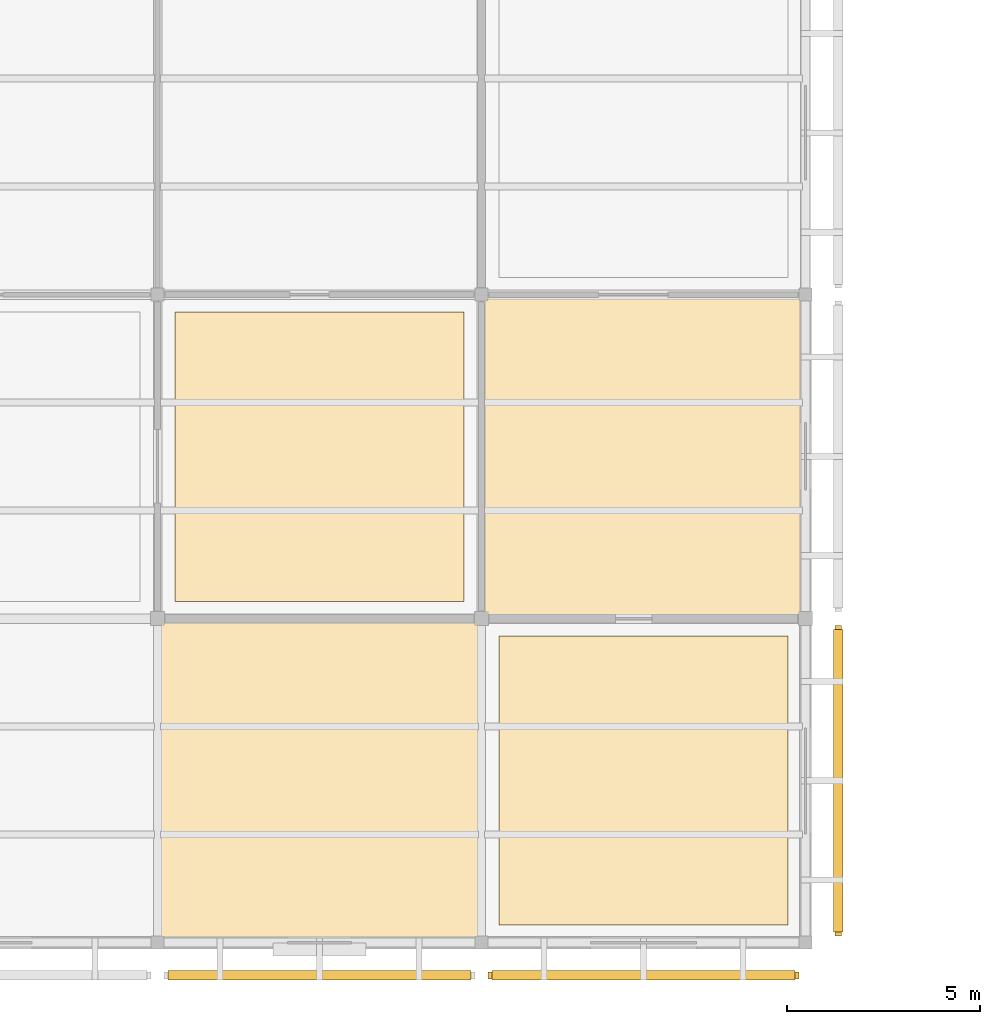
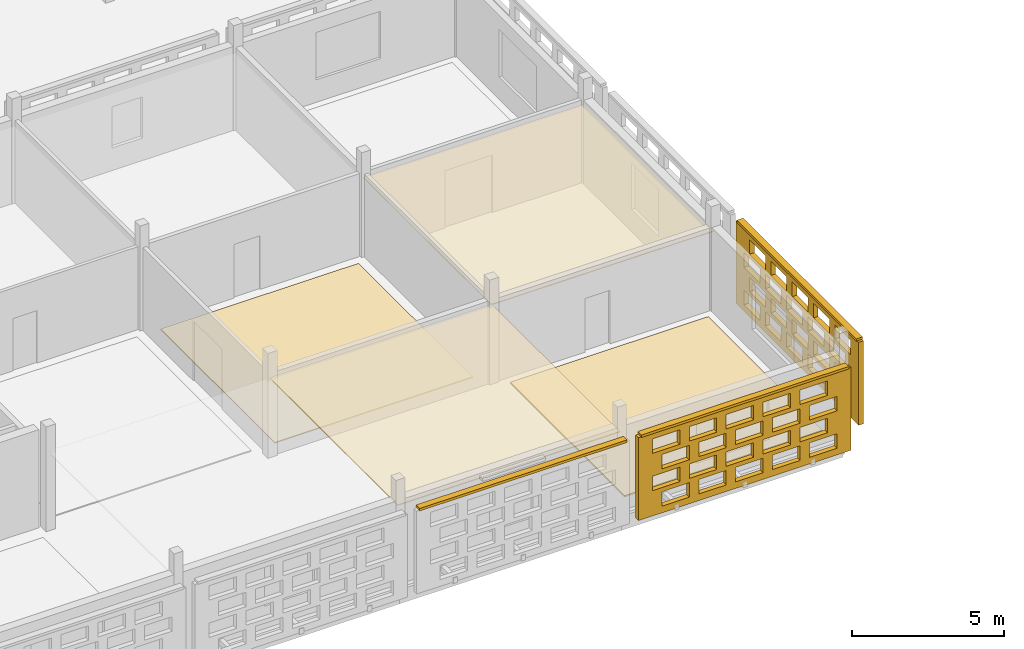
# One storey, part 82 of 103: 6 coverings, 3 shading devices, 40 openings.
"""IFC4 building model written with IfcOpenShell, lengths in metres."""

from ifc_helpers import new_model, si_unit, direction, frame, frame_2d, origin, origin_2d, place, context, subcontext, project, spatial, rectangle, extrude, material, layer, layer_set, type_object, element, save


model = new_model("IFC4")

# Units and contexts
model_context = context("Model", 3, precision=1e-05, world=origin(), true_north=direction((0.0, 1.0)))
body_context = subcontext(model_context, "Body", "Model", "MODEL_VIEW")
ifc_project = project(units=[si_unit("LENGTHUNIT", "METRE"), si_unit("AREAUNIT", "SQUARE_METRE"), si_unit("VOLUMEUNIT", "CUBIC_METRE"), si_unit("PLANEANGLEUNIT", "RADIAN"), si_unit("MASSUNIT", "GRAM", prefix="KILO")], contexts=[model_context])

# Site, building, storey
site_placement = place(None, origin())
site = spatial("IfcSite", under=ifc_project, at=site_placement, CompositionType="ELEMENT")
building_placement = place(site_placement, origin())
building = spatial("IfcBuilding", under=site, at=building_placement, Name="Varnapada Polytechnic", CompositionType="ELEMENT")
storey_placement = place(building_placement, frame((0.0, 0.0, 18.0)))
storey = spatial("IfcBuildingStorey", under=building, at=storey_placement, Name="L04", CompositionType="ELEMENT", Elevation=18.0)

# Coverings
ifc_material_1 = material(Name="Anti-Static Raised Laboratory Flooring")
ifc_layer_1 = layer(ifc_material_1, 0.06005859375)
ifc_layer_set_1 = layer_set([ifc_layer_1], Name="Anti-Static Raised Laboratory Flooring")
covering_type_1 = type_object("IfcCoveringType", Name="Floor Finish FLR-02", PredefinedType="FLOORING", material=ifc_layer_set_1)
covering_1_placement = place(storey_placement, frame((46.199951171875, 12.60009765625, 0.0), z_axis=(0.0, 0.0, 1.0), x_axis=(1.0, 0.0, 0.0)))
element("IfcCovering", 1, at=covering_1_placement, inside=storey, type_object=covering_type_1, Name="L04 floor finish panel (6,2)", PredefinedType="FLOORING", context=body_context, shape_type="SweptSolid", body=[
    extrude(rectangle(XDim=7.5, YDim=7.5, at=origin_2d()), origin(), (0.0, 0.0, 1.0), 0.06005859375),
])
ifc_material_2 = material(Name="Acoustic Rubber Seminar Flooring")
ifc_layer_2 = layer(ifc_material_2, 0.0400390625)
ifc_layer_set_2 = layer_set([ifc_layer_2], Name="Acoustic Rubber Seminar Flooring")
covering_type_2 = type_object("IfcCoveringType", Name="Floor Finish FLR-06", PredefinedType="FLOORING", material=ifc_layer_set_2)
covering_2_placement = place(storey_placement, frame((37.800048828125, 21.0, 0.0), z_axis=(0.0, 0.0, 1.0), x_axis=(1.0, 0.0, 0.0)))
element("IfcCovering", 2, at=covering_2_placement, inside=storey, type_object=covering_type_2, Name="L04 floor finish panel (5,3)", PredefinedType="FLOORING", context=body_context, shape_type="SweptSolid", body=[
    extrude(rectangle(XDim=7.5, YDim=7.5, at=origin_2d()), origin(), (0.0, 0.0, 1.0), 0.0400390625),
])
ifc_material_3 = material(Name="Moisture-Resistant Aluminum Baffle Ceiling", Category="aluminium")
ifc_layer_3 = layer(ifc_material_3, 0.030029296875)
ifc_layer_set_3 = layer_set([ifc_layer_3], Name="Moisture-Resistant Aluminum Baffle Ceiling")
covering_type_3 = type_object("IfcCoveringType", Name="Suspended Ceiling CLG-03", PredefinedType="CEILING", material=ifc_layer_set_3)
covering_3_placement = place(storey_placement, frame((46.199951171875, 21.0, 3.03515625), z_axis=(0.0, 0.0, 1.0), x_axis=(1.0, 0.0, 0.0)))
element("IfcCovering", 3, at=covering_3_placement, inside=storey, type_object=covering_type_3, Name="L04 suspended acoustic ceiling (6,3)", PredefinedType="CEILING", context=body_context, shape_type="SweptSolid", body=[
    extrude(rectangle(XDim=8.419921875, YDim=8.419921875, at=origin_2d()), origin(), (0.0, 0.0, 1.0), 0.030029296875),
])
ifc_material_4 = material(Name="Cleanroom Laboratory Metal Pan Ceiling")
ifc_layer_4 = layer(ifc_material_4, 0.034912109375)
ifc_layer_set_4 = layer_set([ifc_layer_4], Name="Cleanroom Laboratory Metal Pan Ceiling")
covering_type_4 = type_object("IfcCoveringType", Name="Suspended Ceiling CLG-06", PredefinedType="CEILING", material=ifc_layer_set_4)
covering_4_placement = place(storey_placement, frame((37.800048828125, 12.60009765625, 3.03271484375), z_axis=(0.0, 0.0, 1.0), x_axis=(1.0, 0.0, 0.0)))
element("IfcCovering", 4, at=covering_4_placement, inside=storey, type_object=covering_type_4, Name="L04 suspended acoustic ceiling (5,2)", PredefinedType="CEILING", context=body_context, shape_type="SweptSolid", body=[
    extrude(rectangle(XDim=8.419921875, YDim=8.419921875, at=origin_2d()), origin(), (0.0, 0.0, 1.0), 0.034912109375),
])

# Covering, openings
ifc_material_5 = material(Name="Earth-toned architectural terracotta screen block", Category="masonry")
ifc_layer_5 = layer(ifc_material_5, 0.1201171875)
ifc_layer_set_5 = layer_set([ifc_layer_5], Name="Earth-toned architectural terracotta screen block")
covering_type_5 = type_object("IfcCoveringType", Name="Terracotta Screen Cladding CLD-01", PredefinedType="CLADDING", material=ifc_layer_set_5)
covering_5_placement = place(storey_placement, frame((50.22998046875, 7.550048828125, 0.0), z_axis=(0.0, 0.0, 1.0), x_axis=(-1.0, 0.0, 0.0)))
covering_5 = element("IfcCovering", 5, at=covering_5_placement, inside=storey, type_object=covering_type_5, Name="L04 perforated terracotta block screen (36)", PredefinedType="CLADDING", context=body_context, shape_type="SweptSolid", body=[
    extrude(rectangle(XDim=8.06005859375, YDim=0.179931640625, at=frame_2d((4.030029296875, 0.0))), origin(), (0.0, 0.0, 1.0), 3.320068359375),
])
opening_1_placement = place(covering_5_placement, frame((0.530029296875, 0.0, 0.265625)))
element("IfcOpeningElement", 6, at=opening_1_placement, cuts=covering_5, Name="Screen perforation TBS-L04-035.1", PredefinedType="OPENING", context=body_context, shape_type="SweptSolid", body=[
    extrude(rectangle(XDim=1.0400390625, YDim=0.5810546875, at=frame_2d((0.52001953125, 0.29052734375))), frame((0.0, 0.099853515625, 0.0), z_axis=(0.0, -1.0, 0.0), x_axis=(1.0, 0.0, 0.0)), (0.0, 0.0, 1.0), 0.199951171875),
])
opening_2_placement = place(covering_5_placement, frame((1.929931640625, 0.0, 0.265625)))
element("IfcOpeningElement", 7, at=opening_2_placement, cuts=covering_5, Name="Screen perforation TBS-L04-035.2", PredefinedType="OPENING", context=body_context, shape_type="SweptSolid", body=[
    extrude(rectangle(XDim=1.0400390625, YDim=0.5810546875, at=frame_2d((0.52001953125, 0.29052734375))), frame((0.0, 0.099853515625, 0.0), z_axis=(0.0, -1.0, 0.0), x_axis=(1.0, 0.0, 0.0)), (0.0, 0.0, 1.0), 0.199951171875),
])
opening_3_placement = place(covering_5_placement, frame((3.330078125, 0.0, 0.265625)))
element("IfcOpeningElement", 8, at=opening_3_placement, cuts=covering_5, Name="Screen perforation TBS-L04-035.3", PredefinedType="OPENING", context=body_context, shape_type="SweptSolid", body=[
    extrude(rectangle(XDim=1.0400390625, YDim=0.5810546875, at=frame_2d((0.52001953125, 0.29052734375))), frame((0.0, 0.099853515625, 0.0), z_axis=(0.0, -1.0, 0.0), x_axis=(1.0, 0.0, 0.0)), (0.0, 0.0, 1.0), 0.199951171875),
])
opening_4_placement = place(covering_5_placement, frame((4.72998046875, 0.0, 0.265625)))
element("IfcOpeningElement", 9, at=opening_4_placement, cuts=covering_5, Name="Screen perforation TBS-L04-035.4", PredefinedType="OPENING", context=body_context, shape_type="SweptSolid", body=[
    extrude(rectangle(XDim=1.0400390625, YDim=0.5810546875, at=frame_2d((0.52001953125, 0.29052734375))), frame((0.0, 0.099853515625, 0.0), z_axis=(0.0, -1.0, 0.0), x_axis=(1.0, 0.0, 0.0)), (0.0, 0.0, 1.0), 0.199951171875),
])
opening_5_placement = place(covering_5_placement, frame((6.1298828125, 0.0, 0.265625)))
element("IfcOpeningElement", 10, at=opening_5_placement, cuts=covering_5, Name="Screen perforation TBS-L04-035.5", PredefinedType="OPENING", context=body_context, shape_type="SweptSolid", body=[
    extrude(rectangle(XDim=1.0400390625, YDim=0.5810546875, at=frame_2d((0.52001953125, 0.29052734375))), frame((0.0, 0.099853515625, 0.0), z_axis=(0.0, -1.0, 0.0), x_axis=(1.0, 0.0, 0.0)), (0.0, 0.0, 1.0), 0.199951171875),
])
opening_6_placement = place(covering_5_placement, frame((0.889892578125, 0.0, 1.0126953125)))
element("IfcOpeningElement", 11, at=opening_6_placement, cuts=covering_5, Name="Screen perforation TBS-L04-035.6", PredefinedType="OPENING", context=body_context, shape_type="SweptSolid", body=[
    extrude(rectangle(XDim=1.0400390625, YDim=0.5810546875, at=frame_2d((0.52001953125, 0.29052734375))), frame((0.0, 0.099853515625, 0.0), z_axis=(0.0, -1.0, 0.0), x_axis=(1.0, 0.0, 0.0)), (0.0, 0.0, 1.0), 0.199951171875),
])
opening_7_placement = place(covering_5_placement, frame((2.2900390625, 0.0, 1.0126953125)))
element("IfcOpeningElement", 12, at=opening_7_placement, cuts=covering_5, Name="Screen perforation TBS-L04-035.7", PredefinedType="OPENING", context=body_context, shape_type="SweptSolid", body=[
    extrude(rectangle(XDim=1.0400390625, YDim=0.5810546875, at=frame_2d((0.52001953125, 0.29052734375))), frame((0.0, 0.099853515625, 0.0), z_axis=(0.0, -1.0, 0.0), x_axis=(1.0, 0.0, 0.0)), (0.0, 0.0, 1.0), 0.199951171875),
])
opening_8_placement = place(covering_5_placement, frame((3.68994140625, 0.0, 1.0126953125)))
element("IfcOpeningElement", 13, at=opening_8_placement, cuts=covering_5, Name="Screen perforation TBS-L04-035.8", PredefinedType="OPENING", context=body_context, shape_type="SweptSolid", body=[
    extrude(rectangle(XDim=1.0400390625, YDim=0.5810546875, at=frame_2d((0.52001953125, 0.29052734375))), frame((0.0, 0.099853515625, 0.0), z_axis=(0.0, -1.0, 0.0), x_axis=(1.0, 0.0, 0.0)), (0.0, 0.0, 1.0), 0.199951171875),
])
opening_9_placement = place(covering_5_placement, frame((5.090087890625, 0.0, 1.0126953125)))
element("IfcOpeningElement", 14, at=opening_9_placement, cuts=covering_5, Name="Screen perforation TBS-L04-035.9", PredefinedType="OPENING", context=body_context, shape_type="SweptSolid", body=[
    extrude(rectangle(XDim=1.0400390625, YDim=0.5810546875, at=frame_2d((0.52001953125, 0.29052734375))), frame((0.0, 0.099853515625, 0.0), z_axis=(0.0, -1.0, 0.0), x_axis=(1.0, 0.0, 0.0)), (0.0, 0.0, 1.0), 0.199951171875),
])
opening_10_placement = place(covering_5_placement, frame((6.489990234375, 0.0, 1.0126953125)))
element("IfcOpeningElement", 15, at=opening_10_placement, cuts=covering_5, Name="Screen perforation TBS-L04-035.10", PredefinedType="OPENING", context=body_context, shape_type="SweptSolid", body=[
    extrude(rectangle(XDim=1.0400390625, YDim=0.5810546875, at=frame_2d((0.52001953125, 0.29052734375))), frame((0.0, 0.099853515625, 0.0), z_axis=(0.0, -1.0, 0.0), x_axis=(1.0, 0.0, 0.0)), (0.0, 0.0, 1.0), 0.199951171875),
])
opening_11_placement = place(covering_5_placement, frame((0.530029296875, 0.0, 1.759521484375)))
element("IfcOpeningElement", 16, at=opening_11_placement, cuts=covering_5, Name="Screen perforation TBS-L04-035.11", PredefinedType="OPENING", context=body_context, shape_type="SweptSolid", body=[
    extrude(rectangle(XDim=1.0400390625, YDim=0.5810546875, at=frame_2d((0.52001953125, 0.29052734375))), frame((0.0, 0.099853515625, 0.0), z_axis=(0.0, -1.0, 0.0), x_axis=(1.0, 0.0, 0.0)), (0.0, 0.0, 1.0), 0.199951171875),
])
opening_12_placement = place(covering_5_placement, frame((1.929931640625, 0.0, 1.759521484375)))
element("IfcOpeningElement", 17, at=opening_12_placement, cuts=covering_5, Name="Screen perforation TBS-L04-035.12", PredefinedType="OPENING", context=body_context, shape_type="SweptSolid", body=[
    extrude(rectangle(XDim=1.0400390625, YDim=0.5810546875, at=frame_2d((0.52001953125, 0.29052734375))), frame((0.0, 0.099853515625, 0.0), z_axis=(0.0, -1.0, 0.0), x_axis=(1.0, 0.0, 0.0)), (0.0, 0.0, 1.0), 0.199951171875),
])
opening_13_placement = place(covering_5_placement, frame((3.330078125, 0.0, 1.759521484375)))
element("IfcOpeningElement", 18, at=opening_13_placement, cuts=covering_5, Name="Screen perforation TBS-L04-035.13", PredefinedType="OPENING", context=body_context, shape_type="SweptSolid", body=[
    extrude(rectangle(XDim=1.0400390625, YDim=0.5810546875, at=frame_2d((0.52001953125, 0.29052734375))), frame((0.0, 0.099853515625, 0.0), z_axis=(0.0, -1.0, 0.0), x_axis=(1.0, 0.0, 0.0)), (0.0, 0.0, 1.0), 0.199951171875),
])
opening_14_placement = place(covering_5_placement, frame((4.72998046875, 0.0, 1.759521484375)))
element("IfcOpeningElement", 19, at=opening_14_placement, cuts=covering_5, Name="Screen perforation TBS-L04-035.14", PredefinedType="OPENING", context=body_context, shape_type="SweptSolid", body=[
    extrude(rectangle(XDim=1.0400390625, YDim=0.5810546875, at=frame_2d((0.52001953125, 0.29052734375))), frame((0.0, 0.099853515625, 0.0), z_axis=(0.0, -1.0, 0.0), x_axis=(1.0, 0.0, 0.0)), (0.0, 0.0, 1.0), 0.199951171875),
])
opening_15_placement = place(covering_5_placement, frame((6.1298828125, 0.0, 1.759521484375)))
element("IfcOpeningElement", 20, at=opening_15_placement, cuts=covering_5, Name="Screen perforation TBS-L04-035.15", PredefinedType="OPENING", context=body_context, shape_type="SweptSolid", body=[
    extrude(rectangle(XDim=1.0400390625, YDim=0.5810546875, at=frame_2d((0.52001953125, 0.29052734375))), frame((0.0, 0.099853515625, 0.0), z_axis=(0.0, -1.0, 0.0), x_axis=(1.0, 0.0, 0.0)), (0.0, 0.0, 1.0), 0.199951171875),
])
opening_16_placement = place(covering_5_placement, frame((0.889892578125, 0.0, 2.506591796875)))
element("IfcOpeningElement", 21, at=opening_16_placement, cuts=covering_5, Name="Screen perforation TBS-L04-035.16", PredefinedType="OPENING", context=body_context, shape_type="SweptSolid", body=[
    extrude(rectangle(XDim=1.0400390625, YDim=0.5810546875, at=frame_2d((0.52001953125, 0.29052734375))), frame((0.0, 0.099853515625, 0.0), z_axis=(0.0, -1.0, 0.0), x_axis=(1.0, 0.0, 0.0)), (0.0, 0.0, 1.0), 0.199951171875),
])
opening_17_placement = place(covering_5_placement, frame((2.2900390625, 0.0, 2.506591796875)))
element("IfcOpeningElement", 22, at=opening_17_placement, cuts=covering_5, Name="Screen perforation TBS-L04-035.17", PredefinedType="OPENING", context=body_context, shape_type="SweptSolid", body=[
    extrude(rectangle(XDim=1.0400390625, YDim=0.5810546875, at=frame_2d((0.52001953125, 0.29052734375))), frame((0.0, 0.099853515625, 0.0), z_axis=(0.0, -1.0, 0.0), x_axis=(1.0, 0.0, 0.0)), (0.0, 0.0, 1.0), 0.199951171875),
])
opening_18_placement = place(covering_5_placement, frame((3.68994140625, 0.0, 2.506591796875)))
element("IfcOpeningElement", 23, at=opening_18_placement, cuts=covering_5, Name="Screen perforation TBS-L04-035.18", PredefinedType="OPENING", context=body_context, shape_type="SweptSolid", body=[
    extrude(rectangle(XDim=1.0400390625, YDim=0.5810546875, at=frame_2d((0.52001953125, 0.29052734375))), frame((0.0, 0.099853515625, 0.0), z_axis=(0.0, -1.0, 0.0), x_axis=(1.0, 0.0, 0.0)), (0.0, 0.0, 1.0), 0.199951171875),
])
opening_19_placement = place(covering_5_placement, frame((5.090087890625, 0.0, 2.506591796875)))
element("IfcOpeningElement", 24, at=opening_19_placement, cuts=covering_5, Name="Screen perforation TBS-L04-035.19", PredefinedType="OPENING", context=body_context, shape_type="SweptSolid", body=[
    extrude(rectangle(XDim=1.0400390625, YDim=0.5810546875, at=frame_2d((0.52001953125, 0.29052734375))), frame((0.0, 0.099853515625, 0.0), z_axis=(0.0, -1.0, 0.0), x_axis=(1.0, 0.0, 0.0)), (0.0, 0.0, 1.0), 0.199951171875),
])
opening_20_placement = place(covering_5_placement, frame((6.489990234375, 0.0, 2.506591796875)))
element("IfcOpeningElement", 25, at=opening_20_placement, cuts=covering_5, Name="Screen perforation TBS-L04-035.20", PredefinedType="OPENING", context=body_context, shape_type="SweptSolid", body=[
    extrude(rectangle(XDim=1.0400390625, YDim=0.5810546875, at=frame_2d((0.52001953125, 0.29052734375))), frame((0.0, 0.099853515625, 0.0), z_axis=(0.0, -1.0, 0.0), x_axis=(1.0, 0.0, 0.0)), (0.0, 0.0, 1.0), 0.199951171875),
])

covering_6_placement = place(storey_placement, frame((51.25, 16.6201171875, 0.0), z_axis=(0.0, 0.0, 1.0), x_axis=(0.0, -1.0, 0.0)))
covering_6 = element("IfcCovering", 26, at=covering_6_placement, inside=storey, type_object=covering_type_5, Name="L04 perforated terracotta block screen (37)", PredefinedType="CLADDING", context=body_context, shape_type="SweptSolid", body=[
    extrude(rectangle(XDim=8.050048828125, YDim=0.179931640625, at=frame_2d((4.02490234375, 0.0))), origin(), (0.0, 0.0, 1.0), 3.320068359375),
])
opening_21_placement = place(covering_6_placement, frame((0.52490234375, 0.0, 0.265625)))
element("IfcOpeningElement", 27, at=opening_21_placement, cuts=covering_6, Name="Screen perforation TBS-L04-036.1", PredefinedType="OPENING", context=body_context, shape_type="SweptSolid", body=[
    extrude(rectangle(XDim=1.0400390625, YDim=0.5810546875, at=frame_2d((0.52001953125, 0.29052734375))), frame((0.0, 0.099853515625, 0.0), z_axis=(0.0, -1.0, 0.0), x_axis=(1.0, 0.0, 0.0)), (0.0, 0.0, 1.0), 0.199951171875),
])
opening_22_placement = place(covering_6_placement, frame((1.925048828125, 0.0, 0.265625)))
element("IfcOpeningElement", 28, at=opening_22_placement, cuts=covering_6, Name="Screen perforation TBS-L04-036.2", PredefinedType="OPENING", context=body_context, shape_type="SweptSolid", body=[
    extrude(rectangle(XDim=1.0400390625, YDim=0.5810546875, at=frame_2d((0.52001953125, 0.29052734375))), frame((0.0, 0.099853515625, 0.0), z_axis=(0.0, -1.0, 0.0), x_axis=(1.0, 0.0, 0.0)), (0.0, 0.0, 1.0), 0.199951171875),
])
opening_23_placement = place(covering_6_placement, frame((3.324951171875, 0.0, 0.265625)))
element("IfcOpeningElement", 29, at=opening_23_placement, cuts=covering_6, Name="Screen perforation TBS-L04-036.3", PredefinedType="OPENING", context=body_context, shape_type="SweptSolid", body=[
    extrude(rectangle(XDim=1.0400390625, YDim=0.5810546875, at=frame_2d((0.52001953125, 0.29052734375))), frame((0.0, 0.099853515625, 0.0), z_axis=(0.0, -1.0, 0.0), x_axis=(1.0, 0.0, 0.0)), (0.0, 0.0, 1.0), 0.199951171875),
])
opening_24_placement = place(covering_6_placement, frame((4.72509765625, 0.0, 0.265625)))
element("IfcOpeningElement", 30, at=opening_24_placement, cuts=covering_6, Name="Screen perforation TBS-L04-036.4", PredefinedType="OPENING", context=body_context, shape_type="SweptSolid", body=[
    extrude(rectangle(XDim=1.0400390625, YDim=0.5810546875, at=frame_2d((0.52001953125, 0.29052734375))), frame((0.0, 0.099853515625, 0.0), z_axis=(0.0, -1.0, 0.0), x_axis=(1.0, 0.0, 0.0)), (0.0, 0.0, 1.0), 0.199951171875),
])
opening_25_placement = place(covering_6_placement, frame((6.125, 0.0, 0.265625)))
element("IfcOpeningElement", 31, at=opening_25_placement, cuts=covering_6, Name="Screen perforation TBS-L04-036.5", PredefinedType="OPENING", context=body_context, shape_type="SweptSolid", body=[
    extrude(rectangle(XDim=1.0400390625, YDim=0.5810546875, at=frame_2d((0.52001953125, 0.29052734375))), frame((0.0, 0.099853515625, 0.0), z_axis=(0.0, -1.0, 0.0), x_axis=(1.0, 0.0, 0.0)), (0.0, 0.0, 1.0), 0.199951171875),
])
opening_26_placement = place(covering_6_placement, frame((0.885009765625, 0.0, 1.0126953125)))
element("IfcOpeningElement", 32, at=opening_26_placement, cuts=covering_6, Name="Screen perforation TBS-L04-036.6", PredefinedType="OPENING", context=body_context, shape_type="SweptSolid", body=[
    extrude(rectangle(XDim=1.0400390625, YDim=0.5810546875, at=frame_2d((0.52001953125, 0.29052734375))), frame((0.0, 0.099853515625, 0.0), z_axis=(0.0, -1.0, 0.0), x_axis=(1.0, 0.0, 0.0)), (0.0, 0.0, 1.0), 0.199951171875),
])
opening_27_placement = place(covering_6_placement, frame((2.284912109375, 0.0, 1.0126953125)))
element("IfcOpeningElement", 33, at=opening_27_placement, cuts=covering_6, Name="Screen perforation TBS-L04-036.7", PredefinedType="OPENING", context=body_context, shape_type="SweptSolid", body=[
    extrude(rectangle(XDim=1.0400390625, YDim=0.5810546875, at=frame_2d((0.52001953125, 0.29052734375))), frame((0.0, 0.099853515625, 0.0), z_axis=(0.0, -1.0, 0.0), x_axis=(1.0, 0.0, 0.0)), (0.0, 0.0, 1.0), 0.199951171875),
])
opening_28_placement = place(covering_6_placement, frame((3.68505859375, 0.0, 1.0126953125)))
element("IfcOpeningElement", 34, at=opening_28_placement, cuts=covering_6, Name="Screen perforation TBS-L04-036.8", PredefinedType="OPENING", context=body_context, shape_type="SweptSolid", body=[
    extrude(rectangle(XDim=1.0400390625, YDim=0.5810546875, at=frame_2d((0.52001953125, 0.29052734375))), frame((0.0, 0.099853515625, 0.0), z_axis=(0.0, -1.0, 0.0), x_axis=(1.0, 0.0, 0.0)), (0.0, 0.0, 1.0), 0.199951171875),
])
opening_29_placement = place(covering_6_placement, frame((5.0849609375, 0.0, 1.0126953125)))
element("IfcOpeningElement", 35, at=opening_29_placement, cuts=covering_6, Name="Screen perforation TBS-L04-036.9", PredefinedType="OPENING", context=body_context, shape_type="SweptSolid", body=[
    extrude(rectangle(XDim=1.0400390625, YDim=0.5810546875, at=frame_2d((0.52001953125, 0.29052734375))), frame((0.0, 0.099853515625, 0.0), z_axis=(0.0, -1.0, 0.0), x_axis=(1.0, 0.0, 0.0)), (0.0, 0.0, 1.0), 0.199951171875),
])
opening_30_placement = place(covering_6_placement, frame((6.485107421875, 0.0, 1.0126953125)))
element("IfcOpeningElement", 36, at=opening_30_placement, cuts=covering_6, Name="Screen perforation TBS-L04-036.10", PredefinedType="OPENING", context=body_context, shape_type="SweptSolid", body=[
    extrude(rectangle(XDim=1.0400390625, YDim=0.5810546875, at=frame_2d((0.52001953125, 0.29052734375))), frame((0.0, 0.099853515625, 0.0), z_axis=(0.0, -1.0, 0.0), x_axis=(1.0, 0.0, 0.0)), (0.0, 0.0, 1.0), 0.199951171875),
])
opening_31_placement = place(covering_6_placement, frame((0.52490234375, 0.0, 1.759521484375)))
element("IfcOpeningElement", 37, at=opening_31_placement, cuts=covering_6, Name="Screen perforation TBS-L04-036.11", PredefinedType="OPENING", context=body_context, shape_type="SweptSolid", body=[
    extrude(rectangle(XDim=1.0400390625, YDim=0.5810546875, at=frame_2d((0.52001953125, 0.29052734375))), frame((0.0, 0.099853515625, 0.0), z_axis=(0.0, -1.0, 0.0), x_axis=(1.0, 0.0, 0.0)), (0.0, 0.0, 1.0), 0.199951171875),
])
opening_32_placement = place(covering_6_placement, frame((1.925048828125, 0.0, 1.759521484375)))
element("IfcOpeningElement", 38, at=opening_32_placement, cuts=covering_6, Name="Screen perforation TBS-L04-036.12", PredefinedType="OPENING", context=body_context, shape_type="SweptSolid", body=[
    extrude(rectangle(XDim=1.0400390625, YDim=0.5810546875, at=frame_2d((0.52001953125, 0.29052734375))), frame((0.0, 0.099853515625, 0.0), z_axis=(0.0, -1.0, 0.0), x_axis=(1.0, 0.0, 0.0)), (0.0, 0.0, 1.0), 0.199951171875),
])
opening_33_placement = place(covering_6_placement, frame((3.324951171875, 0.0, 1.759521484375)))
element("IfcOpeningElement", 39, at=opening_33_placement, cuts=covering_6, Name="Screen perforation TBS-L04-036.13", PredefinedType="OPENING", context=body_context, shape_type="SweptSolid", body=[
    extrude(rectangle(XDim=1.0400390625, YDim=0.5810546875, at=frame_2d((0.52001953125, 0.29052734375))), frame((0.0, 0.099853515625, 0.0), z_axis=(0.0, -1.0, 0.0), x_axis=(1.0, 0.0, 0.0)), (0.0, 0.0, 1.0), 0.199951171875),
])
opening_34_placement = place(covering_6_placement, frame((4.72509765625, 0.0, 1.759521484375)))
element("IfcOpeningElement", 40, at=opening_34_placement, cuts=covering_6, Name="Screen perforation TBS-L04-036.14", PredefinedType="OPENING", context=body_context, shape_type="SweptSolid", body=[
    extrude(rectangle(XDim=1.0400390625, YDim=0.5810546875, at=frame_2d((0.52001953125, 0.29052734375))), frame((0.0, 0.099853515625, 0.0), z_axis=(0.0, -1.0, 0.0), x_axis=(1.0, 0.0, 0.0)), (0.0, 0.0, 1.0), 0.199951171875),
])
opening_35_placement = place(covering_6_placement, frame((6.125, 0.0, 1.759521484375)))
element("IfcOpeningElement", 41, at=opening_35_placement, cuts=covering_6, Name="Screen perforation TBS-L04-036.15", PredefinedType="OPENING", context=body_context, shape_type="SweptSolid", body=[
    extrude(rectangle(XDim=1.0400390625, YDim=0.5810546875, at=frame_2d((0.52001953125, 0.29052734375))), frame((0.0, 0.099853515625, 0.0), z_axis=(0.0, -1.0, 0.0), x_axis=(1.0, 0.0, 0.0)), (0.0, 0.0, 1.0), 0.199951171875),
])
opening_36_placement = place(covering_6_placement, frame((0.885009765625, 0.0, 2.506591796875)))
element("IfcOpeningElement", 42, at=opening_36_placement, cuts=covering_6, Name="Screen perforation TBS-L04-036.16", PredefinedType="OPENING", context=body_context, shape_type="SweptSolid", body=[
    extrude(rectangle(XDim=1.0400390625, YDim=0.5810546875, at=frame_2d((0.52001953125, 0.29052734375))), frame((0.0, 0.099853515625, 0.0), z_axis=(0.0, -1.0, 0.0), x_axis=(1.0, 0.0, 0.0)), (0.0, 0.0, 1.0), 0.199951171875),
])
opening_37_placement = place(covering_6_placement, frame((2.284912109375, 0.0, 2.506591796875)))
element("IfcOpeningElement", 43, at=opening_37_placement, cuts=covering_6, Name="Screen perforation TBS-L04-036.17", PredefinedType="OPENING", context=body_context, shape_type="SweptSolid", body=[
    extrude(rectangle(XDim=1.0400390625, YDim=0.5810546875, at=frame_2d((0.52001953125, 0.29052734375))), frame((0.0, 0.099853515625, 0.0), z_axis=(0.0, -1.0, 0.0), x_axis=(1.0, 0.0, 0.0)), (0.0, 0.0, 1.0), 0.199951171875),
])
opening_38_placement = place(covering_6_placement, frame((3.68505859375, 0.0, 2.506591796875)))
element("IfcOpeningElement", 44, at=opening_38_placement, cuts=covering_6, Name="Screen perforation TBS-L04-036.18", PredefinedType="OPENING", context=body_context, shape_type="SweptSolid", body=[
    extrude(rectangle(XDim=1.0400390625, YDim=0.5810546875, at=frame_2d((0.52001953125, 0.29052734375))), frame((0.0, 0.099853515625, 0.0), z_axis=(0.0, -1.0, 0.0), x_axis=(1.0, 0.0, 0.0)), (0.0, 0.0, 1.0), 0.199951171875),
])
opening_39_placement = place(covering_6_placement, frame((5.0849609375, 0.0, 2.506591796875)))
element("IfcOpeningElement", 45, at=opening_39_placement, cuts=covering_6, Name="Screen perforation TBS-L04-036.19", PredefinedType="OPENING", context=body_context, shape_type="SweptSolid", body=[
    extrude(rectangle(XDim=1.0400390625, YDim=0.5810546875, at=frame_2d((0.52001953125, 0.29052734375))), frame((0.0, 0.099853515625, 0.0), z_axis=(0.0, -1.0, 0.0), x_axis=(1.0, 0.0, 0.0)), (0.0, 0.0, 1.0), 0.199951171875),
])
opening_40_placement = place(covering_6_placement, frame((6.485107421875, 0.0, 2.506591796875)))
element("IfcOpeningElement", 46, at=opening_40_placement, cuts=covering_6, Name="Screen perforation TBS-L04-036.20", PredefinedType="OPENING", context=body_context, shape_type="SweptSolid", body=[
    extrude(rectangle(XDim=1.0400390625, YDim=0.5810546875, at=frame_2d((0.52001953125, 0.29052734375))), frame((0.0, 0.099853515625, 0.0), z_axis=(0.0, -1.0, 0.0), x_axis=(1.0, 0.0, 0.0)), (0.0, 0.0, 1.0), 0.199951171875),
])

# Shading devices
ifc_layer_6 = layer(ifc_material_5, 0.179931640625)
ifc_layer_set_6 = layer_set([ifc_layer_6], Name="Earth-toned architectural terracotta screen block")
shading_device_type = type_object("IfcShadingDeviceType", Name="Terracotta Screen SCR-01", PredefinedType="USERDEFINED", material=ifc_layer_set_6)
for number, where, z_axis, x_axis, name in (
    (47, (37.800048828125, 7.550048828125, 3.31005859375), (0.0, 0.0, 1.0), (-1.0, 0.0, 0.0), "L04 perforated terracotta screen hood 453"),
    (48, (46.199951171875, 7.550048828125, 3.31005859375), (0.0, 0.0, 1.0), (-1.0, 0.0, 0.0), "L04 perforated terracotta screen hood 455"),
):
    element("IfcShadingDevice", number, at=place(storey_placement, frame(where, z_axis=z_axis, x_axis=x_axis)), inside=storey, type_object=shading_device_type, Name=name, ObjectType="SCREEN", PredefinedType="USERDEFINED", context=body_context, shape_type="SweptSolid", body=[
        extrude(rectangle(XDim=7.860107421875, YDim=0.239990234375, at=origin_2d()), origin(), (0.0, 0.0, 1.0), 0.10009765625),
    ])
shading_device_placement = place(storey_placement, frame((51.25, 12.594970703125, 3.31005859375), z_axis=(0.0, 0.0, 1.0), x_axis=(0.0, -1.0, 0.0)))
element("IfcShadingDevice", 49, at=shading_device_placement, inside=storey, type_object=shading_device_type, Name="L04 perforated terracotta screen hood 456", ObjectType="SCREEN", PredefinedType="USERDEFINED", context=body_context, shape_type="SweptSolid", body=[
    extrude(rectangle(XDim=7.85009765625, YDim=0.239990234375, at=origin_2d()), origin(), (0.0, 0.0, 1.0), 0.10009765625),
])

save(model, "model.ifc")
